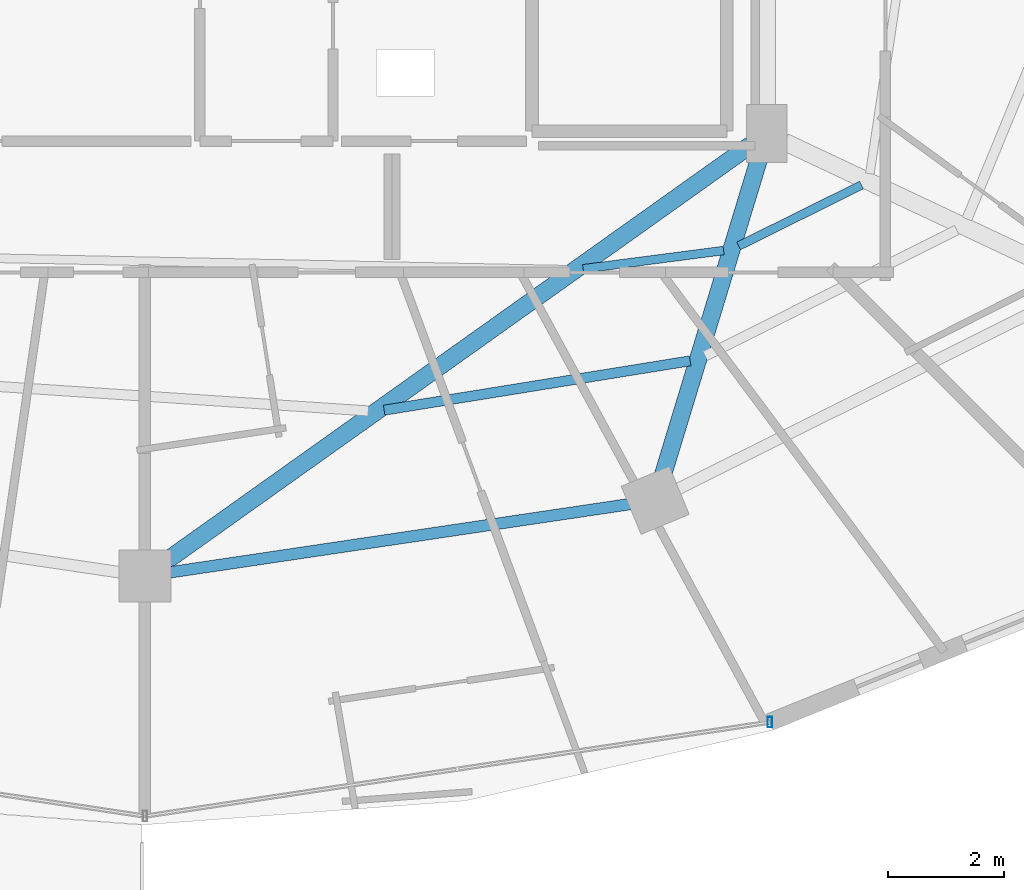
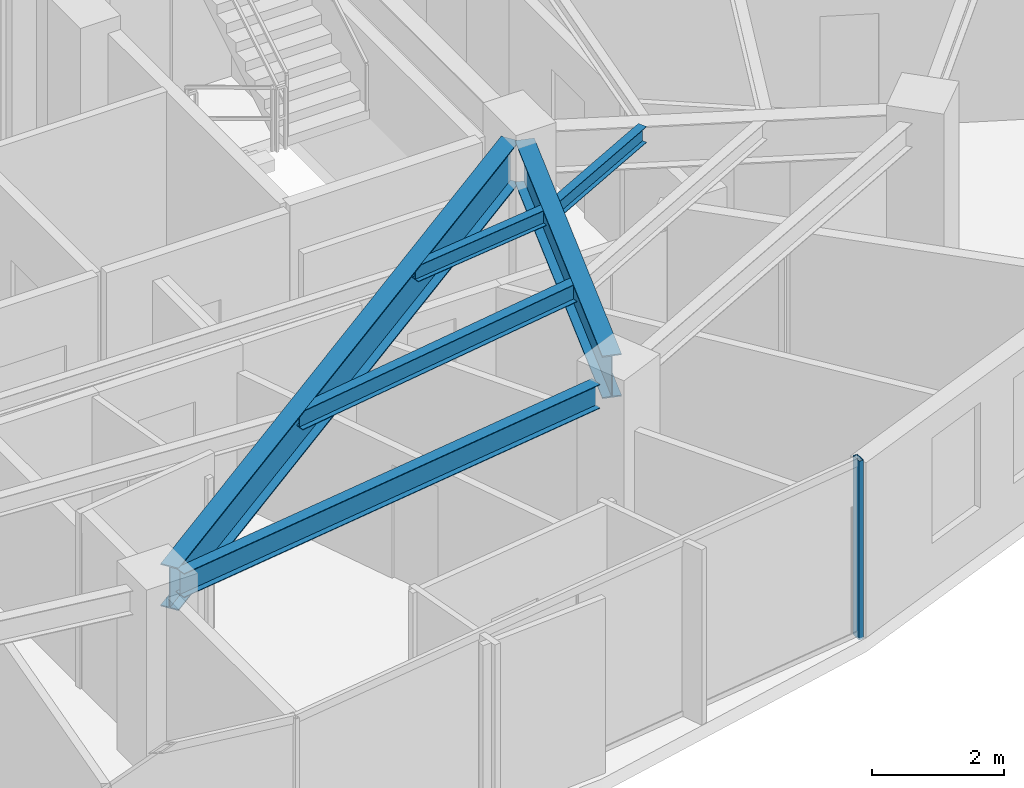
# One storey, part 11 of 33: 6 beams, 1 member, 1 element without a shape of its own.
"""IFC4 building model written with IfcOpenShell, lengths in metres."""

from ifc_helpers import new_model, si_unit, direction, frame, origin, origin_2d, place, context, subcontext, project, spatial, hollow_rectangle, i_section, extrude, material, material_profile, profile_set, type_object, element, aggregate, save


model = new_model("IFC4")

# Units and contexts
model_context = context("Model", 3, precision=1e-05, world=origin(), true_north=direction((0.0, 1.0)))
body_context = subcontext(model_context, "Body", "Model", "MODEL_VIEW")
ifc_project = project(units=[si_unit("LENGTHUNIT", "METRE"), si_unit("AREAUNIT", "SQUARE_METRE"), si_unit("VOLUMEUNIT", "CUBIC_METRE"), si_unit("PLANEANGLEUNIT", "RADIAN"), si_unit("MASSUNIT", "GRAM", prefix="KILO")], contexts=[model_context])

# Site, building, storey
site_placement = place(None, origin())
site = spatial("IfcSite", under=ifc_project, at=site_placement, CompositionType="ELEMENT")
building_placement = place(site_placement, origin())
building = spatial("IfcBuilding", under=site, at=building_placement, Name="Vorneva Point Tower", CompositionType="ELEMENT")
storey_placement = place(building_placement, frame((0.0, 0.0, 179.10009765625)))
storey = spatial("IfcBuildingStorey", under=building, at=storey_placement, Name="L48", CompositionType="ELEMENT", Elevation=179.10009765625)

# Beams
ifc_material_1 = material(Name="Steel S355", Category="steel")
ifc_material_profile_1 = material_profile(ifc_material_1, i_section(OverallWidth=0.300048828125, OverallDepth=0.7880859375, WebThickness=0.014404296875, FlangeThickness=0.02197265625, at=origin_2d()), Name="80Sh1")
ifc_profile_set_1 = profile_set([ifc_material_profile_1], Name="Steel S355")
beam_type_1 = type_object("IfcBeamType", Name="BM-GRD-80Sh1", PredefinedType="USERDEFINED", material=ifc_profile_set_1)
beam_1_placement = place(storey_placement, frame((38.35693359375, 9.053955078125, 2.845947265625), z_axis=(0.814749933852, 0.579812508737, 0.0), x_axis=(-0.579812508737, 0.814749933852, 0.0)))
element("IfcBeam", 1, at=beam_1_placement, inside=storey, type_object=beam_type_1, Name="L48 Radial Primary Girder 13", ObjectType="GIRDER", PredefinedType="USERDEFINED", context=body_context, shape_type="SweptSolid", body=[
    extrude(i_section(OverallWidth=0.300048828125, OverallDepth=0.7880859375, WebThickness=0.014404296875, FlangeThickness=0.02197265625, at=origin_2d()), origin(), (0.0, 0.0, 1.0), 12.416015625),
])
beam_2_placement = place(storey_placement, frame((46.948486328125, 10.5283203125, 2.845947265625), z_axis=(0.291025429135, 0.956715317948, 0.0), x_axis=(-0.956715317948, 0.291025429135, 0.0)))
element("IfcBeam", 2, at=beam_2_placement, inside=storey, type_object=beam_type_1, Name="L48 Radial Primary Girder 14", ObjectType="GIRDER", PredefinedType="USERDEFINED", context=body_context, shape_type="SweptSolid", body=[
    extrude(i_section(OverallWidth=0.300048828125, OverallDepth=0.7880859375, WebThickness=0.014404296875, FlangeThickness=0.02197265625, at=origin_2d()), origin(), (0.0, 0.0, 1.0), 5.849609375),
])
ifc_material_profile_2 = material_profile(ifc_material_1, i_section(OverallWidth=0.14892578125, OverallDepth=0.298095703125, WebThickness=0.005615234375, FlangeThickness=0.008056640625, at=origin_2d()), Name="30B1")
ifc_profile_set_2 = profile_set([ifc_material_profile_2], Name="Steel S355")
beam_type_2 = type_object("IfcBeamType", Name="BM-JST-30B1", PredefinedType="JOIST", material=ifc_profile_set_2)
beam_3_placement = place(storey_placement, frame((45.574951171875, 14.111083984375, 3.0908203125), z_axis=(0.991593183209, 0.129394586489, 0.0), x_axis=(-0.129394586489, 0.991593183209, 0.0)))
element("IfcBeam", 3, at=beam_3_placement, inside=storey, type_object=beam_type_2, Name="L48 Secondary Floor Beam 2.13", PredefinedType="JOIST", context=body_context, shape_type="SweptSolid", body=[
    extrude(i_section(OverallWidth=0.14892578125, OverallDepth=0.298095703125, WebThickness=0.005615234375, FlangeThickness=0.008056640625, at=origin_2d()), origin(), (0.0, 0.0, 1.0), 2.448974609375),
])
beam_4_placement = place(storey_placement, frame((48.263916015625, 14.507080078125, 3.0908203125), z_axis=(0.895946483514, 0.4441620185, 0.0), x_axis=(-0.4441620185, 0.895946483514, 0.0)))
element("IfcBeam", 4, at=beam_4_placement, inside=storey, type_object=beam_type_2, Name="L48 Secondary Floor Beam 2.14", PredefinedType="JOIST", context=body_context, shape_type="SweptSolid", body=[
    extrude(i_section(OverallWidth=0.14892578125, OverallDepth=0.298095703125, WebThickness=0.005615234375, FlangeThickness=0.008056640625, at=origin_2d()), origin(), (0.0, 0.0, 1.0), 2.3701171875),
])
ifc_material_profile_3 = material_profile(ifc_material_1, i_section(OverallWidth=0.174072265625, OverallDepth=0.345947265625, WebThickness=0.006103515625, FlangeThickness=0.009033203125, at=origin_2d()), Name="35B1")
ifc_profile_set_3 = profile_set([ifc_material_profile_3], Name="Steel S355")
beam_type_3 = type_object("IfcBeamType", Name="BM-SEC-35B1", PredefinedType="BEAM", material=ifc_profile_set_3)
beam_5_placement = place(storey_placement, frame((42.135009765625, 11.66748046875, 3.06689453125), z_axis=(0.987232801798, 0.159284007527, 0.0), x_axis=(-0.159284007527, 0.987232801798, 0.0)))
element("IfcBeam", 5, at=beam_5_placement, inside=storey, type_object=beam_type_3, Name="L48 Secondary Floor Beam 1.13", PredefinedType="BEAM", context=body_context, shape_type="SweptSolid", body=[
    extrude(i_section(OverallWidth=0.174072265625, OverallDepth=0.345947265625, WebThickness=0.006103515625, FlangeThickness=0.009033203125, at=origin_2d()), origin(), (0.0, 0.0, 1.0), 5.3583984375),
])
ifc_material_profile_4 = material_profile(ifc_material_1, i_section(OverallWidth=0.198974609375, OverallDepth=0.446044921875, WebThickness=0.008056640625, FlangeThickness=0.011962890625, at=origin_2d()), Name="45B1")
ifc_profile_set_4 = profile_set([ifc_material_profile_4], Name="Steel S355")
beam_type_4 = type_object("IfcBeamType", Name="BM-SPN-45B1", PredefinedType="SPANDREL", material=ifc_profile_set_4)
beam_6_placement = place(storey_placement, frame((38.430419921875, 8.864013671875, 3.016845703125), z_axis=(0.989165476332, 0.146804837907, 0.0), x_axis=(-0.146804837907, 0.989165476332, 0.0)))
element("IfcBeam", 6, at=beam_6_placement, inside=storey, type_object=beam_type_4, Name="L48 Perimeter Spandrel Ring Beam 13", PredefinedType="SPANDREL", context=body_context, shape_type="SweptSolid", body=[
    extrude(i_section(OverallWidth=0.198974609375, OverallDepth=0.446044921875, WebThickness=0.008056640625, FlangeThickness=0.011962890625, at=origin_2d()), origin(), (0.0, 0.0, 1.0), 8.04736328125),
])

# Curtain wall, member
ifc_material_2 = material(Name="Pale anodised aluminium", Category="aluminium")
curtain_wall_type = type_object("IfcCurtainWallType", Name="CW-RES-SYS", PredefinedType="NOTDEFINED", material=ifc_material_2)
curtain_wall_placement = place(storey_placement, origin())
curtain_wall = element("IfcCurtainWall", 7, at=curtain_wall_placement, inside=storey, type_object=curtain_wall_type, Name="L48 Unitised Curtain Wall CW-L48-R03", PredefinedType="NOTDEFINED")
ifc_material_profile_5 = material_profile(ifc_material_2, hollow_rectangle(XDim=0.074951171875, YDim=0.179931640625, WallThickness=0.00390625, at=origin_2d()), Name="AL-MUL 180x75x4")
ifc_profile_set_5 = profile_set([ifc_material_profile_5], Name="Pale anodised aluminium")
member_type = type_object("IfcMemberType", Name="CW-MUL-180", PredefinedType="MULLION", material=ifc_profile_set_5)
member_placement = place(storey_placement, frame((48.80322265625, 6.275146484375, -0.0400390625), z_axis=(0.0, 0.0, 1.0), x_axis=(1.0, 0.0, 0.0)))
member = element("IfcMember", 8, at=member_placement, type_object=member_type, Name="CW-L48-R03 Mullion 05", PredefinedType="MULLION", context=body_context, shape_type="SweptSolid", body=[
    extrude(hollow_rectangle(XDim=0.074951171875, YDim=0.179931640625, WallThickness=0.00390625, at=origin_2d()), origin(), (0.0, 0.0, 1.0), 3.31005859375),
])
aggregate(curtain_wall, [member])

save(model, "model.ifc")
